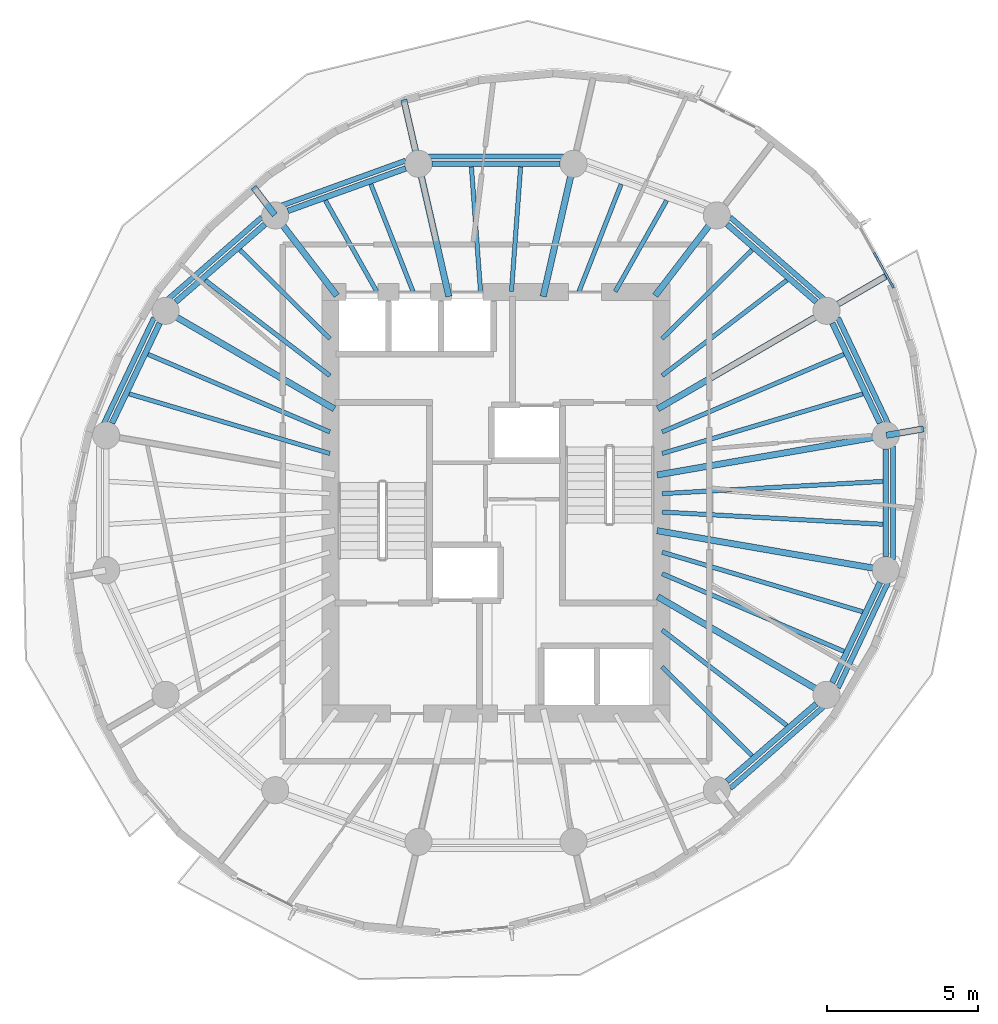
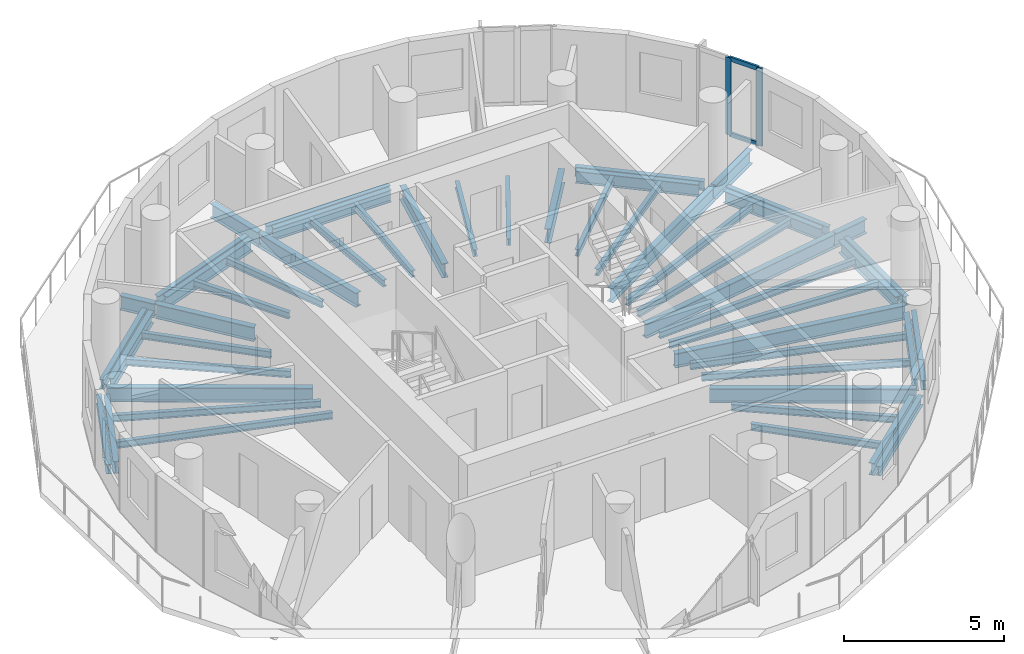
# One storey, part 2 of 10: 51 beams, 4 members, 1 element without a shape of its own.
"""IFC4 building model written with IfcOpenShell, lengths in metres."""

import ifcopenshell
import ifcopenshell.guid

model = None  # the IFC model being written
_history = None  # IfcOwnerHistory: only IFC2X3 demands one
_inside = {}  # id of a spatial element -> (the spatial element, [elements in it])
_under = {}  # id of a project, library or spatial element -> (it, [spatial elements below it])
_declared = {}  # id of a project -> (the project, [libraries it declares])
_typed = {}  # id of a type object -> (the type object, [elements of that type])
_made_of = {}  # id of a material, layer set ... -> (it, [elements and type objects made of it])


def new_model(schema):
    """Start an empty IFC model of exactly this schema.

    Asked for "IFC4X3", IfcOpenShell would pick the latest addendum, in which some entities
    have other attributes; the version numbers below select the first issue.
    IFC2X3 requires an IfcOwnerHistory on every rooted entity: one is made here for all.
    """
    global model, _history
    if schema == "IFC4X3":
        model = ifcopenshell.file(schema_version=(4, 3, 0, 0))
    else:
        model = ifcopenshell.file(schema=schema)
    _inside.clear()
    _under.clear()
    _declared.clear()
    _typed.clear()
    _made_of.clear()
    _history = None
    if model.schema == "IFC2X3":
        org = make("IfcOrganization", Name="unknown")
        user = make(
            "IfcPersonAndOrganization",
            ThePerson=make("IfcPerson", FamilyName="unknown"),
            TheOrganization=org,
        )
        app = make(
            "IfcApplication",
            ApplicationDeveloper=org,
            Version="unknown",
            ApplicationFullName="unknown",
            ApplicationIdentifier="unknown",
        )
        _history = make(
            "IfcOwnerHistory",
            OwningUser=user,
            OwningApplication=app,
            ChangeAction="ADDED",
            CreationDate=0,
        )
    return model


def make(cls, **values):
    """One entity of the class cls with the attributes given. An attribute that is None is left unset."""
    return model.create_entity(
        cls, **{name: value for name, value in values.items() if value is not None}
    )


def rooted(cls, **values):
    """An entity with a GlobalId (a new one), such as an element, a storey or a relation."""
    return make(cls, GlobalId=ifcopenshell.guid.new(), OwnerHistory=_history, **values)


def si_unit(unit_type, name, prefix=None):
    """IfcSIUnit, for example si_unit("LENGTHUNIT", "METRE", prefix="MILLI")."""
    return make("IfcSIUnit", UnitType=unit_type, Prefix=prefix, Name=name)


def assignment(units):
    """IfcUnitAssignment: the units of a project."""
    return None if units is None else make("IfcUnitAssignment", Units=units)


def point(xyz):
    """IfcCartesianPoint."""
    return None if xyz is None else make("IfcCartesianPoint", Coordinates=xyz)


def direction(xyz):
    """IfcDirection."""
    return None if xyz is None else make("IfcDirection", DirectionRatios=xyz)


def frame(location, z_axis=None, x_axis=None):
    """IfcAxis2Placement3D, a coordinate frame: its origin and axes. An axis left out is left unset."""
    return make(
        "IfcAxis2Placement3D",
        Location=point(location),
        Axis=direction(z_axis),
        RefDirection=direction(x_axis),
    )


def frame_2d(location, x_axis=None):
    """IfcAxis2Placement2D, a coordinate frame in the plane: its origin and x axis."""
    return make(
        "IfcAxis2Placement2D", Location=point(location), RefDirection=direction(x_axis)
    )


def origin():
    """The frame at (0, 0, 0) with its axes left unset."""
    return frame((0.0, 0.0, 0.0))


def origin_2d():
    """The frame at (0, 0) in the plane with its x axis left unset."""
    return frame_2d((0.0, 0.0))


def place(relative_to, where):
    """IfcLocalPlacement: puts the frame where relative to a parent placement (None: the world)."""
    return make(
        "IfcLocalPlacement", PlacementRelTo=relative_to, RelativePlacement=where
    )


def context(
    kind, dimensions, precision=None, world=None, true_north=None, identifier=None
):
    """IfcGeometricRepresentationContext, for example the 3D "Model" context."""
    return make(
        "IfcGeometricRepresentationContext",
        ContextIdentifier=identifier,
        ContextType=kind,
        CoordinateSpaceDimension=dimensions,
        Precision=precision,
        WorldCoordinateSystem=world,
        TrueNorth=true_north,
    )


def subcontext(parent, identifier, kind, view, scale=None):
    """IfcGeometricRepresentationSubContext, for example "Body" below "Model"."""
    return make(
        "IfcGeometricRepresentationSubContext",
        ContextIdentifier=identifier,
        ContextType=kind,
        ParentContext=parent,
        TargetScale=scale,
        TargetView=view,
    )


def project(units=None, contexts=None):
    """IfcProject with its units and contexts."""
    return rooted(
        "IfcProject",
        Name="project",
        RepresentationContexts=contexts,
        UnitsInContext=assignment(units),
    )


def spatial(cls, under=None, at=None, **own):
    """A site, building, storey or space (cls), placed at a placement, below another one or the project."""
    s = rooted(cls, ObjectPlacement=at, **own)
    if under is not None:
        _under.setdefault(under.id(), (under, []))[1].append(s)
    return s


def profile(cls, at=None, kind="AREA", **sizes):
    """A parametric profile (cls). Its sizes go by their IFC names, for example OverallWidth=200.0."""
    return make(cls, ProfileType=kind, Position=at, **sizes)


def rectangle(**sizes):
    """IfcRectangleProfileDef."""
    return profile("IfcRectangleProfileDef", **sizes)


def i_section(**sizes):
    """IfcIShapeProfileDef."""
    return profile("IfcIShapeProfileDef", **sizes)


def extrude(swept, where, along, depth):
    """IfcExtrudedAreaSolid: the profile swept, set in the frame where, extruded along a direction by depth."""
    return make(
        "IfcExtrudedAreaSolid",
        SweptArea=swept,
        Position=where,
        ExtrudedDirection=direction(along),
        Depth=depth,
    )


def shape(context_of_items, identifier, shape_type, items):
    """IfcShapeRepresentation: the items that make up one representation, for example the "Body"."""
    return make(
        "IfcShapeRepresentation",
        ContextOfItems=context_of_items,
        RepresentationIdentifier=identifier,
        RepresentationType=shape_type,
        Items=items,
    )


def material(Name=None, Category=None):
    """IfcMaterial."""
    return make("IfcMaterial", Name=Name, Category=Category)


def material_profile(
    of_material, cross_section, Name=None, Category=None, Priority=None
):
    """IfcMaterialProfile: a cross section and its material."""
    return make(
        "IfcMaterialProfile",
        Name=Name,
        Material=of_material,
        Profile=cross_section,
        Priority=Priority,
        Category=Category,
    )


def profile_set(profiles, Name=None, composite=None):
    """IfcMaterialProfileSet."""
    return make(
        "IfcMaterialProfileSet",
        Name=Name,
        MaterialProfiles=profiles,
        CompositeProfile=composite,
    )


def made_of(thing, what):
    """Note that an element or type object is made of a material, layer set ...; save() writes the relation."""
    if what is not None:
        _made_of.setdefault(what.id(), (what, []))[1].append(thing)
    return thing


def type_object(cls, material=None, **own):
    """A type object (cls), such as IfcWallType, which elements share."""
    return made_of(rooted(cls, **own), material)


def element(
    cls,
    number,
    at=None,
    inside=None,
    cuts=None,
    type_object=None,
    material=None,
    context=None,
    identifier="Body",
    shape_type=None,
    held_by="IfcProductDefinitionShape",
    body=None,
    shapes=None,
    **own,
):
    """One element of the class cls, such as IfcWall. Its Tag is "e" and its number.

    at: its placement. inside: the storey or other place that contains it. cuts: it is an
    opening in that element (IfcRelVoidsElement). A single representation is given by context,
    identifier, shape_type and body (its items); several are given by shapes. held_by: the class
    of the entity that holds the representations. save() writes the other relations.
    """
    e = rooted(cls, Tag="e%d" % number, ObjectPlacement=at, **own)
    if body is not None:
        shapes = [shape(context, identifier, shape_type, body)]
    if shapes is not None:
        e.Representation = make(held_by, Representations=shapes)
    if inside is not None:
        _inside.setdefault(inside.id(), (inside, []))[1].append(e)
    if cuts is not None:
        rooted(
            "IfcRelVoidsElement", RelatingBuildingElement=cuts, RelatedOpeningElement=e
        )
    if type_object is not None:
        _typed.setdefault(type_object.id(), (type_object, []))[1].append(e)
    return made_of(e, material)


def aggregate(whole, parts):
    """IfcRelAggregates: a whole, such as a stair, and the parts it consists of."""
    return rooted("IfcRelAggregates", RelatingObject=whole, RelatedObjects=parts)


def save(model, path):
    """Write the relations noted so far, then the file.

    IfcRelAggregates (storeys below a building ...), IfcRelContainedInSpatialStructure (elements
    in a storey), IfcRelDefinesByType, IfcRelAssociatesMaterial and IfcRelDeclares: one each for
    every whole, place, type object, material and project.
    """
    for whole, parts in _under.values():
        aggregate(whole, parts)
    for where, things in _inside.values():
        rooted(
            "IfcRelContainedInSpatialStructure",
            RelatedElements=things,
            RelatingStructure=where,
        )
    for kind, things in _typed.values():
        rooted("IfcRelDefinesByType", RelatedObjects=things, RelatingType=kind)
    for what, things in _made_of.values():
        rooted("IfcRelAssociatesMaterial", RelatedObjects=things, RelatingMaterial=what)
    for by, libraries in _declared.values():
        rooted("IfcRelDeclares", RelatingContext=by, RelatedDefinitions=libraries)
    model.write(path)


model = new_model("IFC4")

# Units and contexts
model_context = context("Model", 3, precision=1e-05, world=origin(), true_north=direction((0.0, 1.0)))
body_context = subcontext(model_context, "Body", "Model", "MODEL_VIEW")
ifc_project = project(units=[si_unit("LENGTHUNIT", "METRE"), si_unit("AREAUNIT", "SQUARE_METRE"), si_unit("VOLUMEUNIT", "CUBIC_METRE"), si_unit("PLANEANGLEUNIT", "RADIAN"), si_unit("MASSUNIT", "GRAM", prefix="KILO")], contexts=[model_context])

# Site, building, storey
site_placement = place(None, origin())
site = spatial("IfcSite", under=ifc_project, at=site_placement, CompositionType="ELEMENT")
building_placement = place(site_placement, origin())
building = spatial("IfcBuilding", under=site, at=building_placement, Name="Veldorim Arch Residences", CompositionType="ELEMENT")
storey_placement = place(building_placement, frame((0.0, 0.0, 185.43994140625)))
storey = spatial("IfcBuildingStorey", under=building, at=storey_placement, Name="L55", CompositionType="ELEMENT", Elevation=185.43994140625)

# Beams
ifc_material_1 = material(Name="Steel S355", Category="steel")
ifc_material_profile_1 = material_profile(ifc_material_1, i_section(OverallWidth=0.2119140625, OverallDepth=0.54443359375, WebThickness=0.0126953125, FlangeThickness=0.021240234375, at=origin_2d()), Name="UB533x210x122")
ifc_profile_set_1 = profile_set([ifc_material_profile_1], Name="Steel S355")
beam_type_1 = type_object("IfcBeamType", Name="Structural Steel Beam UB533x210x122", PredefinedType="BEAM", material=ifc_profile_set_1)
beam_1_placement = place(storey_placement, frame((37.352294921875, 24.92578125, -0.51220703125), z_axis=(0.985364974081, 0.170457818401, 0.0), x_axis=(-0.170457818401, 0.985364974081, 0.0)))
element("IfcBeam", 1, at=beam_1_placement, inside=storey, type_object=beam_type_1, Name="L55 radial floor girder 01", PredefinedType="BEAM", context=body_context, shape_type="SweptSolid", body=[
    extrude(i_section(OverallWidth=0.2119140625, OverallDepth=0.54443359375, WebThickness=0.0126953125, FlangeThickness=0.021240234375, at=origin_2d()), origin(), (0.0, 0.0, 1.0), 7.68701171875),
])
beam_2_placement = place(storey_placement, frame((44.966064453125, 26.242919921875, -0.51220703125), z_axis=(0.985353024945, 0.170526878328, 0.0), x_axis=(-0.170526878328, 0.985353024945, 0.0)))
element("IfcBeam", 2, at=beam_2_placement, inside=storey, type_object=beam_type_1, Name="L55 radial edge cantilever girder 01", PredefinedType="BEAM", context=body_context, shape_type="SweptSolid", body=[
    extrude(i_section(OverallWidth=0.2119140625, OverallDepth=0.54443359375, WebThickness=0.0126953125, FlangeThickness=0.021240234375, at=origin_2d()), origin(), (0.0, 0.0, 1.0), 1.252685546875),
])
beam_3_placement = place(storey_placement, frame((37.370361328125, 27.12060546875, -0.51220703125), z_axis=(0.864595736304, 0.502468121142, 0.0), x_axis=(-0.502468121142, 0.864595736304, 0.0)))
element("IfcBeam", 3, at=beam_3_placement, inside=storey, type_object=beam_type_1, Name="L55 radial floor girder 02", PredefinedType="BEAM", context=body_context, shape_type="SweptSolid", body=[
    extrude(i_section(OverallWidth=0.2119140625, OverallDepth=0.54443359375, WebThickness=0.0126953125, FlangeThickness=0.021240234375, at=origin_2d()), origin(), (0.0, 0.0, 1.0), 6.462646484375),
])
beam_4_placement = place(storey_placement, frame((42.99267578125, 30.387939453125, -0.51220703125), z_axis=(0.864602055373, 0.502457247779, 0.0), x_axis=(-0.502457247779, 0.864602055373, 0.0)))
element("IfcBeam", 4, at=beam_4_placement, inside=storey, type_object=beam_type_1, Name="L55 radial edge cantilever girder 02", PredefinedType="BEAM", context=body_context, shape_type="SweptSolid", body=[
    extrude(i_section(OverallWidth=0.2119140625, OverallDepth=0.54443359375, WebThickness=0.0126953125, FlangeThickness=0.021240234375, at=origin_2d()), origin(), (0.0, 0.0, 1.0), 2.2880859375),
])
beam_5_placement = place(storey_placement, frame((37.28662109375, 30.881103515625, -0.51220703125), z_axis=(0.609258442308, 0.792971721108, 0.0), x_axis=(-0.792971721108, 0.609258442308, 0.0)))
element("IfcBeam", 5, at=beam_5_placement, inside=storey, type_object=beam_type_1, Name="L55 radial floor girder 03", PredefinedType="BEAM", context=body_context, shape_type="SweptSolid", body=[
    extrude(i_section(OverallWidth=0.2119140625, OverallDepth=0.54443359375, WebThickness=0.0126953125, FlangeThickness=0.021240234375, at=origin_2d()), origin(), (0.0, 0.0, 1.0), 3.339599609375),
])
for number, where, z_axis, x_axis, name in (
    (6, (33.567626953125, 30.853759765625, -0.51220703125), (0.222952976993, 0.97482920045, 0.0), (-0.97482920045, 0.222952976993, 0.0), "L55 radial floor girder 04"),
    (7, (30.432373046875, 30.853759765625, -0.51220703125), (-0.222952976993, 0.97482920045, 0.0), (-0.97482920045, -0.222952976993, 0.0), "L55 radial floor girder 05"),
):
    element("IfcBeam", number, at=place(storey_placement, frame(where, z_axis=z_axis, x_axis=x_axis)), inside=storey, type_object=beam_type_1, Name=name, PredefinedType="BEAM", context=body_context, shape_type="SweptSolid", body=[
        extrude(i_section(OverallWidth=0.2119140625, OverallDepth=0.54443359375, WebThickness=0.0126953125, FlangeThickness=0.021240234375, at=origin_2d()), origin(), (0.0, 0.0, 1.0), 4.49951171875),
    ])
beam_6_placement = place(storey_placement, frame((29.42041015625, 35.27880859375, -0.51220703125), z_axis=(-0.222947343298, 0.974830488914, 0.0), x_axis=(-0.974830488914, -0.222947343298, 0.0)))
element("IfcBeam", 8, at=beam_6_placement, inside=storey, type_object=beam_type_1, Name="L55 radial edge cantilever girder 05", PredefinedType="BEAM", context=body_context, shape_type="SweptSolid", body=[
    extrude(i_section(OverallWidth=0.2119140625, OverallDepth=0.54443359375, WebThickness=0.0126953125, FlangeThickness=0.021240234375, at=origin_2d()), origin(), (0.0, 0.0, 1.0), 2.163818359375),
])
beam_7_placement = place(storey_placement, frame((26.71337890625, 30.881103515625, -0.51220703125), z_axis=(-0.609258442308, 0.792971721108, 0.0), x_axis=(-0.792971721108, -0.609258442308, 0.0)))
element("IfcBeam", 9, at=beam_7_placement, inside=storey, type_object=beam_type_1, Name="L55 radial floor girder 06", PredefinedType="BEAM", context=body_context, shape_type="SweptSolid", body=[
    extrude(i_section(OverallWidth=0.2119140625, OverallDepth=0.54443359375, WebThickness=0.0126953125, FlangeThickness=0.021240234375, at=origin_2d()), origin(), (0.0, 0.0, 1.0), 3.339599609375),
])
beam_8_placement = place(storey_placement, frame((24.654296875, 33.561279296875, -0.51220703125), z_axis=(-0.609203031705, 0.793014291272, 0.0), x_axis=(-0.793014291272, -0.609203031705, 0.0)))
element("IfcBeam", 10, at=beam_8_placement, inside=storey, type_object=beam_type_1, Name="L55 radial edge cantilever girder 06", PredefinedType="BEAM", context=body_context, shape_type="SweptSolid", body=[
    extrude(i_section(OverallWidth=0.2119140625, OverallDepth=0.54443359375, WebThickness=0.0126953125, FlangeThickness=0.021240234375, at=origin_2d()), origin(), (0.0, 0.0, 1.0), 1.162109375),
])
for number, where, z_axis, x_axis, name in (
    (11, (26.629638671875, 27.12060546875, -0.51220703125), (-0.864595736304, 0.502468121142, 0.0), (-0.502468121142, -0.864595736304, 0.0), "L55 radial floor girder 07"),
    (12, (37.370361328125, 20.87939453125, -0.51220703125), (0.864595736304, -0.502468121142, 0.0), (0.502468121142, 0.864595736304, 0.0), "L55 radial floor girder 15"),
):
    element("IfcBeam", number, at=place(storey_placement, frame(where, z_axis=z_axis, x_axis=x_axis)), inside=storey, type_object=beam_type_1, Name=name, PredefinedType="BEAM", context=body_context, shape_type="SweptSolid", body=[
        extrude(i_section(OverallWidth=0.2119140625, OverallDepth=0.54443359375, WebThickness=0.0126953125, FlangeThickness=0.021240234375, at=origin_2d()), origin(), (0.0, 0.0, 1.0), 6.462646484375),
    ])
beam_9_placement = place(storey_placement, frame((37.352294921875, 23.07421875, -0.51220703125), z_axis=(0.985364974081, -0.170457818401, 0.0), x_axis=(0.170457818401, 0.985364974081, 0.0)))
element("IfcBeam", 13, at=beam_9_placement, inside=storey, type_object=beam_type_1, Name="L55 radial floor girder 16", PredefinedType="BEAM", context=body_context, shape_type="SweptSolid", body=[
    extrude(i_section(OverallWidth=0.2119140625, OverallDepth=0.54443359375, WebThickness=0.0126953125, FlangeThickness=0.021240234375, at=origin_2d()), origin(), (0.0, 0.0, 1.0), 7.68701171875),
])
ifc_material_2 = material(Name="Steel S355", Category="steel")
ifc_material_profile_2 = material_profile(ifc_material_2, i_section(OverallWidth=0.146484375, OverallDepth=0.256103515625, WebThickness=0.00634765625, FlangeThickness=0.010986328125, at=origin_2d()), Name="UB254x146x37")
ifc_profile_set_2 = profile_set([ifc_material_profile_2], Name="Steel S355")
beam_type_2 = type_object("IfcBeamType", Name="Structural Steel Joist UB254x146x37", PredefinedType="JOIST", material=ifc_profile_set_2)
beam_10_placement = place(storey_placement, frame((37.519287109375, 25.639404296875, -0.367919921875), z_axis=(0.958594432792, 0.284774846889, 0.0), x_axis=(-0.284774846889, 0.958594432792, 0.0)))
element("IfcBeam", 14, at=beam_10_placement, inside=storey, type_object=beam_type_2, Name="L55 secondary radial floor joist 01-1", PredefinedType="JOIST", context=body_context, shape_type="SweptSolid", body=[
    extrude(i_section(OverallWidth=0.146484375, OverallDepth=0.256103515625, WebThickness=0.00634765625, FlangeThickness=0.010986328125, at=origin_2d()), origin(), (0.0, 0.0, 1.0), 6.949462890625),
])
beam_11_placement = place(storey_placement, frame((37.518310546875, 26.355712890625, -0.367919921875), z_axis=(0.919725161652, 0.392562895629, 0.0), x_axis=(-0.392562895629, 0.919725161652, 0.0)))
element("IfcBeam", 15, at=beam_11_placement, inside=storey, type_object=beam_type_2, Name="L55 secondary radial floor joist 01-2", PredefinedType="JOIST", context=body_context, shape_type="SweptSolid", body=[
    extrude(i_section(OverallWidth=0.146484375, OverallDepth=0.256103515625, WebThickness=0.00634765625, FlangeThickness=0.010986328125, at=origin_2d()), origin(), (0.0, 0.0, 1.0), 6.5625),
])
beam_12_placement = place(storey_placement, frame((37.515869140625, 28.222900390625, -0.367919921875), z_axis=(0.794013672216, 0.607899899929, 0.0), x_axis=(-0.607899899929, 0.794013672216, 0.0)))
element("IfcBeam", 16, at=beam_12_placement, inside=storey, type_object=beam_type_2, Name="L55 secondary radial floor joist 02-1", PredefinedType="JOIST", context=body_context, shape_type="SweptSolid", body=[
    extrude(i_section(OverallWidth=0.146484375, OverallDepth=0.256103515625, WebThickness=0.00634765625, FlangeThickness=0.010986328125, at=origin_2d()), origin(), (0.0, 0.0, 1.0), 5.217041015625),
])
beam_13_placement = place(storey_placement, frame((37.51416015625, 29.44775390625, -0.367919921875), z_axis=(0.711396725432, 0.702790650937, 0.0), x_axis=(-0.702790650937, 0.711396725432, 0.0)))
element("IfcBeam", 17, at=beam_13_placement, inside=storey, type_object=beam_type_2, Name="L55 secondary radial floor joist 02-2", PredefinedType="JOIST", context=body_context, shape_type="SweptSolid", body=[
    extrude(i_section(OverallWidth=0.146484375, OverallDepth=0.256103515625, WebThickness=0.00634765625, FlangeThickness=0.010986328125, at=origin_2d()), origin(), (0.0, 0.0, 1.0), 4.198486328125),
])
beam_14_placement = place(storey_placement, frame((35.960205078125, 31.017333984375, -0.367919921875), z_axis=(0.491452469585, 0.870904397818, 0.0), x_axis=(-0.870904397818, 0.491452469585, 0.0)))
element("IfcBeam", 18, at=beam_14_placement, inside=storey, type_object=beam_type_2, Name="L55 secondary radial floor joist 03-1", PredefinedType="JOIST", context=body_context, shape_type="SweptSolid", body=[
    extrude(i_section(OverallWidth=0.146484375, OverallDepth=0.256103515625, WebThickness=0.00634765625, FlangeThickness=0.010986328125, at=origin_2d()), origin(), (0.0, 0.0, 1.0), 3.472412109375),
])
beam_15_placement = place(storey_placement, frame((34.75634765625, 31.0185546875, -0.367919921875), z_axis=(0.365581383042, 0.930779379001, 0.0), x_axis=(-0.930779379001, 0.365581383042, 0.0)))
element("IfcBeam", 19, at=beam_15_placement, inside=storey, type_object=beam_type_2, Name="L55 secondary radial floor joist 03-2", PredefinedType="JOIST", context=body_context, shape_type="SweptSolid", body=[
    extrude(i_section(OverallWidth=0.146484375, OverallDepth=0.256103515625, WebThickness=0.00634765625, FlangeThickness=0.010986328125, at=origin_2d()), origin(), (0.0, 0.0, 1.0), 3.83056640625),
])
for number, where, z_axis, x_axis, name in (
    (20, (32.513916015625, 31.02001953125, -0.367919921875), (0.072985625899, 0.997332992742, 0.0), (-0.997332992742, 0.072985625899, 0.0), "L55 secondary radial floor joist 04-1"),
    (21, (31.486083984375, 31.02001953125, -0.367919921875), (-0.072985625899, 0.997332992742, 0.0), (-0.997332992742, -0.072985625899, 0.0), "L55 secondary radial floor joist 04-2"),
):
    element("IfcBeam", number, at=place(storey_placement, frame(where, z_axis=z_axis, x_axis=x_axis)), inside=storey, type_object=beam_type_2, Name=name, PredefinedType="JOIST", context=body_context, shape_type="SweptSolid", body=[
        extrude(i_section(OverallWidth=0.146484375, OverallDepth=0.256103515625, WebThickness=0.00634765625, FlangeThickness=0.010986328125, at=origin_2d()), origin(), (0.0, 0.0, 1.0), 4.151123046875),
    ])
beam_16_placement = place(storey_placement, frame((29.24365234375, 31.0185546875, -0.367919921875), z_axis=(-0.365581383042, 0.930779379001, 0.0), x_axis=(-0.930779379001, -0.365581383042, 0.0)))
element("IfcBeam", 22, at=beam_16_placement, inside=storey, type_object=beam_type_2, Name="L55 secondary radial floor joist 05-1", PredefinedType="JOIST", context=body_context, shape_type="SweptSolid", body=[
    extrude(i_section(OverallWidth=0.146484375, OverallDepth=0.256103515625, WebThickness=0.00634765625, FlangeThickness=0.010986328125, at=origin_2d()), origin(), (0.0, 0.0, 1.0), 3.83056640625),
])
beam_17_placement = place(storey_placement, frame((28.039794921875, 31.017333984375, -0.367919921875), z_axis=(-0.491452469585, 0.870904397818, 0.0), x_axis=(-0.870904397818, -0.491452469585, 0.0)))
element("IfcBeam", 23, at=beam_17_placement, inside=storey, type_object=beam_type_2, Name="L55 secondary radial floor joist 05-2", PredefinedType="JOIST", context=body_context, shape_type="SweptSolid", body=[
    extrude(i_section(OverallWidth=0.146484375, OverallDepth=0.256103515625, WebThickness=0.00634765625, FlangeThickness=0.010986328125, at=origin_2d()), origin(), (0.0, 0.0, 1.0), 3.472412109375),
])
beam_18_placement = place(storey_placement, frame((26.48583984375, 29.44775390625, -0.367919921875), z_axis=(-0.711396725432, 0.702790650937, 0.0), x_axis=(-0.702790650937, -0.711396725432, 0.0)))
element("IfcBeam", 24, at=beam_18_placement, inside=storey, type_object=beam_type_2, Name="L55 secondary radial floor joist 06-1", PredefinedType="JOIST", context=body_context, shape_type="SweptSolid", body=[
    extrude(i_section(OverallWidth=0.146484375, OverallDepth=0.256103515625, WebThickness=0.00634765625, FlangeThickness=0.010986328125, at=origin_2d()), origin(), (0.0, 0.0, 1.0), 4.198486328125),
])
beam_19_placement = place(storey_placement, frame((26.484130859375, 28.222900390625, -0.367919921875), z_axis=(-0.794013672216, 0.607899899929, 0.0), x_axis=(-0.607899899929, -0.794013672216, 0.0)))
element("IfcBeam", 25, at=beam_19_placement, inside=storey, type_object=beam_type_2, Name="L55 secondary radial floor joist 06-2", PredefinedType="JOIST", context=body_context, shape_type="SweptSolid", body=[
    extrude(i_section(OverallWidth=0.146484375, OverallDepth=0.256103515625, WebThickness=0.00634765625, FlangeThickness=0.010986328125, at=origin_2d()), origin(), (0.0, 0.0, 1.0), 5.217041015625),
])
beam_20_placement = place(storey_placement, frame((26.481689453125, 26.355712890625, -0.367919921875), z_axis=(-0.919725161652, 0.392562895629, 0.0), x_axis=(-0.392562895629, -0.919725161652, 0.0)))
element("IfcBeam", 26, at=beam_20_placement, inside=storey, type_object=beam_type_2, Name="L55 secondary radial floor joist 07-1", PredefinedType="JOIST", context=body_context, shape_type="SweptSolid", body=[
    extrude(i_section(OverallWidth=0.146484375, OverallDepth=0.256103515625, WebThickness=0.00634765625, FlangeThickness=0.010986328125, at=origin_2d()), origin(), (0.0, 0.0, 1.0), 6.5625),
])
beam_21_placement = place(storey_placement, frame((26.480712890625, 25.639404296875, -0.367919921875), z_axis=(-0.958594432792, 0.284774846889, 0.0), x_axis=(-0.284774846889, -0.958594432792, 0.0)))
element("IfcBeam", 27, at=beam_21_placement, inside=storey, type_object=beam_type_2, Name="L55 secondary radial floor joist 07-2", PredefinedType="JOIST", context=body_context, shape_type="SweptSolid", body=[
    extrude(i_section(OverallWidth=0.146484375, OverallDepth=0.256103515625, WebThickness=0.00634765625, FlangeThickness=0.010986328125, at=origin_2d()), origin(), (0.0, 0.0, 1.0), 6.949462890625),
])
beam_22_placement = place(storey_placement, frame((37.51416015625, 18.55224609375, -0.367919921875), z_axis=(0.711396725432, -0.702790650937, 0.0), x_axis=(0.702790650937, 0.711396725432, 0.0)))
element("IfcBeam", 28, at=beam_22_placement, inside=storey, type_object=beam_type_2, Name="L55 secondary radial floor joist 14-1", PredefinedType="JOIST", context=body_context, shape_type="SweptSolid", body=[
    extrude(i_section(OverallWidth=0.146484375, OverallDepth=0.256103515625, WebThickness=0.00634765625, FlangeThickness=0.010986328125, at=origin_2d()), origin(), (0.0, 0.0, 1.0), 4.198486328125),
])
beam_23_placement = place(storey_placement, frame((37.515869140625, 19.777099609375, -0.367919921875), z_axis=(0.794013672216, -0.607899899929, 0.0), x_axis=(0.607899899929, 0.794013672216, 0.0)))
element("IfcBeam", 29, at=beam_23_placement, inside=storey, type_object=beam_type_2, Name="L55 secondary radial floor joist 14-2", PredefinedType="JOIST", context=body_context, shape_type="SweptSolid", body=[
    extrude(i_section(OverallWidth=0.146484375, OverallDepth=0.256103515625, WebThickness=0.00634765625, FlangeThickness=0.010986328125, at=origin_2d()), origin(), (0.0, 0.0, 1.0), 5.217041015625),
])
beam_24_placement = place(storey_placement, frame((37.518310546875, 21.644287109375, -0.367919921875), z_axis=(0.919725161652, -0.392562895629, 0.0), x_axis=(0.392562895629, 0.919725161652, 0.0)))
element("IfcBeam", 30, at=beam_24_placement, inside=storey, type_object=beam_type_2, Name="L55 secondary radial floor joist 15-1", PredefinedType="JOIST", context=body_context, shape_type="SweptSolid", body=[
    extrude(i_section(OverallWidth=0.146484375, OverallDepth=0.256103515625, WebThickness=0.00634765625, FlangeThickness=0.010986328125, at=origin_2d()), origin(), (0.0, 0.0, 1.0), 6.5625),
])
beam_25_placement = place(storey_placement, frame((37.519287109375, 22.360595703125, -0.367919921875), z_axis=(0.958594432792, -0.284774846889, 0.0), x_axis=(0.284774846889, 0.958594432792, 0.0)))
element("IfcBeam", 31, at=beam_25_placement, inside=storey, type_object=beam_type_2, Name="L55 secondary radial floor joist 15-2", PredefinedType="JOIST", context=body_context, shape_type="SweptSolid", body=[
    extrude(i_section(OverallWidth=0.146484375, OverallDepth=0.256103515625, WebThickness=0.00634765625, FlangeThickness=0.010986328125, at=origin_2d()), origin(), (0.0, 0.0, 1.0), 6.949462890625),
])
for number, where, z_axis, x_axis, name in (
    (32, (37.52001953125, 23.6943359375, -0.367919921875), (0.998472000884, -0.055259962464, 0.0), (0.055259962464, 0.998472000884, 0.0), "L55 secondary radial floor joist 16-1"),
    (33, (37.52001953125, 24.3056640625, -0.367919921875), (0.998472000884, 0.055259962464, 0.0), (-0.055259962464, 0.998472000884, 0.0), "L55 secondary radial floor joist 16-2"),
):
    element("IfcBeam", number, at=place(storey_placement, frame(where, z_axis=z_axis, x_axis=x_axis)), inside=storey, type_object=beam_type_2, Name=name, PredefinedType="JOIST", context=body_context, shape_type="SweptSolid", body=[
        extrude(i_section(OverallWidth=0.146484375, OverallDepth=0.256103515625, WebThickness=0.00634765625, FlangeThickness=0.010986328125, at=origin_2d()), origin(), (0.0, 0.0, 1.0), 7.33837890625),
    ])
ifc_material_3 = material(Name="Steel S355", Category="steel")
ifc_material_profile_3 = material_profile(ifc_material_3, i_section(OverallWidth=0.172119140625, OverallDepth=0.35791015625, WebThickness=0.008056640625, FlangeThickness=0.012939453125, at=origin_2d()), Name="UB356x171x57")
ifc_profile_set_3 = profile_set([ifc_material_profile_3], Name="Steel S355")
beam_type_3 = type_object("IfcBeamType", Name="Structural Steel Spandrel UB356x171x57", PredefinedType="SPANDREL", material=ifc_profile_set_3)
beam_26_placement = place(storey_placement, frame((45.0205078125, 26.6396484375, -0.43896484375), z_axis=(-0.428408308939, 0.903585259304, 0.0), x_axis=(-0.903585259304, -0.428408308939, 0.0)))
element("IfcBeam", 34, at=beam_26_placement, inside=storey, type_object=beam_type_3, Name="L55 perimeter chord spandrel beam 01", PredefinedType="SPANDREL", context=body_context, shape_type="SweptSolid", body=[
    extrude(i_section(OverallWidth=0.172119140625, OverallDepth=0.35791015625, WebThickness=0.008056640625, FlangeThickness=0.012939453125, at=origin_2d()), origin(), (0.0, 0.0, 1.0), 3.878662109375),
])
beam_27_placement = place(storey_placement, frame((42.891357421875, 30.762939453125, -0.43896484375), z_axis=(-0.752847646119, 0.6581948205, 0.0), x_axis=(-0.6581948205, -0.752847646119, 0.0)))
element("IfcBeam", 35, at=beam_27_placement, inside=storey, type_object=beam_type_3, Name="L55 perimeter chord spandrel beam 02", PredefinedType="SPANDREL", context=body_context, shape_type="SweptSolid", body=[
    extrude(i_section(OverallWidth=0.172119140625, OverallDepth=0.35791015625, WebThickness=0.008056640625, FlangeThickness=0.012939453125, at=origin_2d()), origin(), (0.0, 0.0, 1.0), 4.12939453125),
])
beam_28_placement = place(storey_placement, frame((34.234375, 35.500732421875, -0.43896484375), z_axis=(-1.0, 0.0, 0.0), x_axis=(0.0, -1.0, 0.0)))
element("IfcBeam", 36, at=beam_28_placement, inside=storey, type_object=beam_type_3, Name="L55 perimeter chord spandrel beam 04", PredefinedType="SPANDREL", context=body_context, shape_type="SweptSolid", body=[
    extrude(i_section(OverallWidth=0.172119140625, OverallDepth=0.35791015625, WebThickness=0.008056640625, FlangeThickness=0.012939453125, at=origin_2d()), origin(), (0.0, 0.0, 1.0), 4.46875),
])
beam_29_placement = place(storey_placement, frame((28.997314453125, 35.36572265625, -0.43896484375), z_axis=(-0.940164695555, -0.340720332871, 0.0), x_axis=(0.340720332871, -0.940164695555, 0.0)))
element("IfcBeam", 37, at=beam_29_placement, inside=storey, type_object=beam_type_3, Name="L55 perimeter chord spandrel beam 05", PredefinedType="SPANDREL", context=body_context, shape_type="SweptSolid", body=[
    extrude(i_section(OverallWidth=0.172119140625, OverallDepth=0.35791015625, WebThickness=0.008056640625, FlangeThickness=0.012939453125, at=origin_2d()), origin(), (0.0, 0.0, 1.0), 4.370849609375),
])
beam_30_placement = place(storey_placement, frame((24.217529296875, 33.48095703125, -0.43896484375), z_axis=(-0.752847646119, -0.6581948205, 0.0), x_axis=(0.6581948205, -0.752847646119, 0.0)))
element("IfcBeam", 38, at=beam_30_placement, inside=storey, type_object=beam_type_3, Name="L55 perimeter chord spandrel beam 06", PredefinedType="SPANDREL", context=body_context, shape_type="SweptSolid", body=[
    extrude(i_section(OverallWidth=0.172119140625, OverallDepth=0.35791015625, WebThickness=0.008056640625, FlangeThickness=0.012939453125, at=origin_2d()), origin(), (0.0, 0.0, 1.0), 4.12939453125),
])
beam_31_placement = place(storey_placement, frame((20.64111328125, 30.144287109375, -0.43896484375), z_axis=(-0.428408308939, -0.903585259304, 0.0), x_axis=(0.903585259304, -0.428408308939, 0.0)))
element("IfcBeam", 39, at=beam_31_placement, inside=storey, type_object=beam_type_3, Name="L55 perimeter chord spandrel beam 07", PredefinedType="SPANDREL", context=body_context, shape_type="SweptSolid", body=[
    extrude(i_section(OverallWidth=0.172119140625, OverallDepth=0.35791015625, WebThickness=0.008056640625, FlangeThickness=0.012939453125, at=origin_2d()), origin(), (0.0, 0.0, 1.0), 3.878662109375),
])
beam_32_placement = place(storey_placement, frame((39.782470703125, 14.51904296875, -0.43896484375), z_axis=(0.752847646119, 0.6581948205, 0.0), x_axis=(-0.6581948205, 0.752847646119, 0.0)))
element("IfcBeam", 40, at=beam_32_placement, inside=storey, type_object=beam_type_3, Name="L55 perimeter chord spandrel beam 14", PredefinedType="SPANDREL", context=body_context, shape_type="SweptSolid", body=[
    extrude(i_section(OverallWidth=0.172119140625, OverallDepth=0.35791015625, WebThickness=0.008056640625, FlangeThickness=0.012939453125, at=origin_2d()), origin(), (0.0, 0.0, 1.0), 4.12939453125),
])
beam_33_placement = place(storey_placement, frame((43.35888671875, 17.855712890625, -0.43896484375), z_axis=(0.428408308939, 0.903585259304, 0.0), x_axis=(-0.903585259304, 0.428408308939, 0.0)))
element("IfcBeam", 41, at=beam_33_placement, inside=storey, type_object=beam_type_3, Name="L55 perimeter chord spandrel beam 15", PredefinedType="SPANDREL", context=body_context, shape_type="SweptSolid", body=[
    extrude(i_section(OverallWidth=0.172119140625, OverallDepth=0.35791015625, WebThickness=0.008056640625, FlangeThickness=0.012939453125, at=origin_2d()), origin(), (0.0, 0.0, 1.0), 3.878662109375),
])
beam_34_placement = place(storey_placement, frame((45.190185546875, 22.1142578125, -0.43896484375), z_axis=(0.0, 1.0, 0.0), x_axis=(-1.0, 0.0, 0.0)))
element("IfcBeam", 42, at=beam_34_placement, inside=storey, type_object=beam_type_3, Name="L55 perimeter chord spandrel beam 16", PredefinedType="SPANDREL", context=body_context, shape_type="SweptSolid", body=[
    extrude(i_section(OverallWidth=0.172119140625, OverallDepth=0.35791015625, WebThickness=0.008056640625, FlangeThickness=0.012939453125, at=origin_2d()), origin(), (0.0, 0.0, 1.0), 3.771484375),
])
ifc_material_4 = material(Name="Steel S355", Category="steel")
ifc_material_profile_4 = material_profile(ifc_material_4, i_section(OverallWidth=0.19140625, OverallDepth=0.4599609375, WebThickness=0.010009765625, FlangeThickness=0.01611328125, at=origin_2d()), Name="UB457x191x82")
ifc_profile_set_4 = profile_set([ifc_material_profile_4], Name="Steel S355")
beam_type_4 = type_object("IfcBeamType", Name="Structural Steel Spandrel UB457x191x82", PredefinedType="SPANDREL", material=ifc_profile_set_4)
beam_35_placement = place(storey_placement, frame((44.7529296875, 26.64599609375, -0.469970703125), z_axis=(-0.430005613988, 0.902826213586, 0.0), x_axis=(-0.902826213586, -0.430005613988, 0.0)))
element("IfcBeam", 43, at=beam_35_placement, inside=storey, type_object=beam_type_4, Name="L55 perimeter ring tie beam 01", PredefinedType="SPANDREL", context=body_context, shape_type="SweptSolid", body=[
    extrude(i_section(OverallWidth=0.19140625, OverallDepth=0.4599609375, WebThickness=0.010009765625, FlangeThickness=0.01611328125, at=origin_2d()), origin(), (0.0, 0.0, 1.0), 3.68359375),
])
beam_36_placement = place(storey_placement, frame((42.635986328125, 30.673095703125, -0.469970703125), z_axis=(-0.754545285701, 0.656247980436, 0.0), x_axis=(-0.656247980436, -0.754545285701, 0.0)))
element("IfcBeam", 44, at=beam_36_placement, inside=storey, type_object=beam_type_4, Name="L55 perimeter ring tie beam 02", PredefinedType="SPANDREL", context=body_context, shape_type="SweptSolid", body=[
    extrude(i_section(OverallWidth=0.19140625, OverallDepth=0.4599609375, WebThickness=0.010009765625, FlangeThickness=0.01611328125, at=origin_2d()), origin(), (0.0, 0.0, 1.0), 3.9267578125),
])
beam_37_placement = place(storey_placement, frame((34.125244140625, 35.259521484375, -0.469970703125), z_axis=(-1.0, 0.0, 0.0), x_axis=(0.0, -1.0, 0.0)))
element("IfcBeam", 45, at=beam_37_placement, inside=storey, type_object=beam_type_4, Name="L55 perimeter ring tie beam 04", PredefinedType="SPANDREL", context=body_context, shape_type="SweptSolid", body=[
    extrude(i_section(OverallWidth=0.19140625, OverallDepth=0.4599609375, WebThickness=0.010009765625, FlangeThickness=0.01611328125, at=origin_2d()), origin(), (0.0, 0.0, 1.0), 4.25048828125),
])
beam_38_placement = place(storey_placement, frame((29.00146484375, 35.10693359375, -0.469970703125), z_axis=(-0.940811035395, -0.338931550137, 0.0), x_axis=(0.338931550137, -0.940811035395, 0.0)))
element("IfcBeam", 46, at=beam_38_placement, inside=storey, type_object=beam_type_4, Name="L55 perimeter ring tie beam 05", PredefinedType="SPANDREL", context=body_context, shape_type="SweptSolid", body=[
    extrude(i_section(OverallWidth=0.19140625, OverallDepth=0.4599609375, WebThickness=0.010009765625, FlangeThickness=0.01611328125, at=origin_2d()), origin(), (0.0, 0.0, 1.0), 4.15771484375),
])
beam_39_placement = place(storey_placement, frame((24.326904296875, 33.25, -0.469970703125), z_axis=(-0.754545285701, -0.656247980436, 0.0), x_axis=(0.656247980436, -0.754545285701, 0.0)))
element("IfcBeam", 47, at=beam_39_placement, inside=storey, type_object=beam_type_4, Name="L55 perimeter ring tie beam 06", PredefinedType="SPANDREL", context=body_context, shape_type="SweptSolid", body=[
    extrude(i_section(OverallWidth=0.19140625, OverallDepth=0.4599609375, WebThickness=0.010009765625, FlangeThickness=0.01611328125, at=origin_2d()), origin(), (0.0, 0.0, 1.0), 3.9267578125),
])
beam_40_placement = place(storey_placement, frame((20.8310546875, 29.9716796875, -0.469970703125), z_axis=(-0.430005613988, -0.902826213586, 0.0), x_axis=(0.902826213586, -0.430005613988, 0.0)))
element("IfcBeam", 48, at=beam_40_placement, inside=storey, type_object=beam_type_4, Name="L55 perimeter ring tie beam 07", PredefinedType="SPANDREL", context=body_context, shape_type="SweptSolid", body=[
    extrude(i_section(OverallWidth=0.19140625, OverallDepth=0.4599609375, WebThickness=0.010009765625, FlangeThickness=0.01611328125, at=origin_2d()), origin(), (0.0, 0.0, 1.0), 3.68359375),
])
beam_41_placement = place(storey_placement, frame((39.673095703125, 14.75, -0.469970703125), z_axis=(0.754545285701, 0.656247980436, 0.0), x_axis=(-0.656247980436, 0.754545285701, 0.0)))
element("IfcBeam", 49, at=beam_41_placement, inside=storey, type_object=beam_type_4, Name="L55 perimeter ring tie beam 14", PredefinedType="SPANDREL", context=body_context, shape_type="SweptSolid", body=[
    extrude(i_section(OverallWidth=0.19140625, OverallDepth=0.4599609375, WebThickness=0.010009765625, FlangeThickness=0.01611328125, at=origin_2d()), origin(), (0.0, 0.0, 1.0), 3.9267578125),
])
beam_42_placement = place(storey_placement, frame((43.1689453125, 18.0283203125, -0.469970703125), z_axis=(0.430005613988, 0.902826213586, 0.0), x_axis=(-0.902826213586, 0.430005613988, 0.0)))
element("IfcBeam", 50, at=beam_42_placement, inside=storey, type_object=beam_type_4, Name="L55 perimeter ring tie beam 15", PredefinedType="SPANDREL", context=body_context, shape_type="SweptSolid", body=[
    extrude(i_section(OverallWidth=0.19140625, OverallDepth=0.4599609375, WebThickness=0.010009765625, FlangeThickness=0.01611328125, at=origin_2d()), origin(), (0.0, 0.0, 1.0), 3.68359375),
])
beam_43_placement = place(storey_placement, frame((44.9462890625, 22.21044921875, -0.469970703125), z_axis=(0.0, 1.0, 0.0), x_axis=(-1.0, 0.0, 0.0)))
element("IfcBeam", 51, at=beam_43_placement, inside=storey, type_object=beam_type_4, Name="L55 perimeter ring tie beam 16", PredefinedType="SPANDREL", context=body_context, shape_type="SweptSolid", body=[
    extrude(i_section(OverallWidth=0.19140625, OverallDepth=0.4599609375, WebThickness=0.010009765625, FlangeThickness=0.01611328125, at=origin_2d()), origin(), (0.0, 0.0, 1.0), 3.5791015625),
])

# Curtain wall, members
ifc_material_5 = material(Name="Aluminium", Category="aluminium")
curtain_wall_type = type_object("IfcCurtainWallType", Name="Zone 4 High-Altitude Unitised Curtain Wall", PredefinedType="NOTDEFINED", material=ifc_material_5)
curtain_wall_placement = place(storey_placement, origin())
curtain_wall = element("IfcCurtainWall", 52, at=curtain_wall_placement, inside=storey, type_object=curtain_wall_type, Name="L55 unitised curtain wall bay 35", PredefinedType="NOTDEFINED")
ifc_material_6 = material(Name="Aluminium", Category="aluminium")
ifc_material_profile_5 = material_profile(ifc_material_6, rectangle(XDim=0.074951171875, YDim=0.195068359375, at=origin_2d()), Name="ALU_MUL_75x195")
ifc_profile_set_5 = profile_set([ifc_material_profile_5], Name="Aluminium")
member_type_1 = type_object("IfcMemberType", Name="Zone 4 High-Altitude Unitised Curtain Wall Mullion 75x195", PredefinedType="MULLION", material=ifc_profile_set_5)
member_1_placement = place(storey_placement, frame((44.603515625, 32.21923828125, 0.0), z_axis=(0.0, 0.0, 1.0), x_axis=(0.874022577874, 0.485885308861, 0.0)))
member_1 = element("IfcMember", 53, at=member_1_placement, type_object=member_type_1, Name="CW-Z4 mullion 2", PredefinedType="MULLION", context=body_context, shape_type="SweptSolid", body=[
    extrude(rectangle(XDim=0.074951171875, YDim=0.195068359375, at=origin_2d()), origin(), (0.0, 0.0, 1.0), 2.9599609375),
])
member_2_placement = place(storey_placement, frame((45.1552734375, 31.226318359375, 0.0), z_axis=(0.0, 0.0, 1.0), x_axis=(0.874022577874, 0.485885308861, 0.0)))
member_2 = element("IfcMember", 54, at=member_2_placement, type_object=member_type_1, Name="CW-Z4 mullion 3", PredefinedType="MULLION", context=body_context, shape_type="SweptSolid", body=[
    extrude(rectangle(XDim=0.074951171875, YDim=0.195068359375, at=origin_2d()), origin(), (0.0, 0.0, 1.0), 2.9599609375),
])
ifc_material_7 = material(Name="Aluminium", Category="aluminium")
ifc_material_profile_6 = material_profile(ifc_material_7, rectangle(XDim=0.074951171875, YDim=0.1650390625, at=origin_2d()), Name="ALU_TRN_75x165")
ifc_profile_set_6 = profile_set([ifc_material_profile_6], Name="Aluminium")
member_type_2 = type_object("IfcMemberType", Name="Zone 4 High-Altitude Unitised Curtain Wall Transom 75x165", PredefinedType="USERDEFINED", material=ifc_profile_set_6)
member_3_placement = place(storey_placement, frame((44.62158203125, 32.1865234375, 0.03759765625), z_axis=(0.485896850133, -0.874016161768, 0.0), x_axis=(0.874016161768, 0.485896850133, 0.0)))
member_3 = element("IfcMember", 55, at=member_3_placement, type_object=member_type_2, Name="CW-Z4 transom 2.1", ObjectType="TRANSOM", PredefinedType="USERDEFINED", context=body_context, shape_type="SweptSolid", body=[
    extrude(rectangle(XDim=0.074951171875, YDim=0.1650390625, at=origin_2d()), origin(), (0.0, 0.0, 1.0), 1.061279296875),
])
member_4_placement = place(storey_placement, frame((44.62158203125, 32.1865234375, 2.922607421875), z_axis=(0.485896850133, -0.874016161768, 0.0), x_axis=(0.874016161768, 0.485896850133, 0.0)))
member_4 = element("IfcMember", 56, at=member_4_placement, type_object=member_type_2, Name="CW-Z4 transom 2.2", ObjectType="TRANSOM", PredefinedType="USERDEFINED", context=body_context, shape_type="SweptSolid", body=[
    extrude(rectangle(XDim=0.074951171875, YDim=0.1650390625, at=origin_2d()), origin(), (0.0, 0.0, 1.0), 1.061279296875),
])
aggregate(curtain_wall, [member_1, member_2, member_3, member_4])

save(model, "model.ifc")
